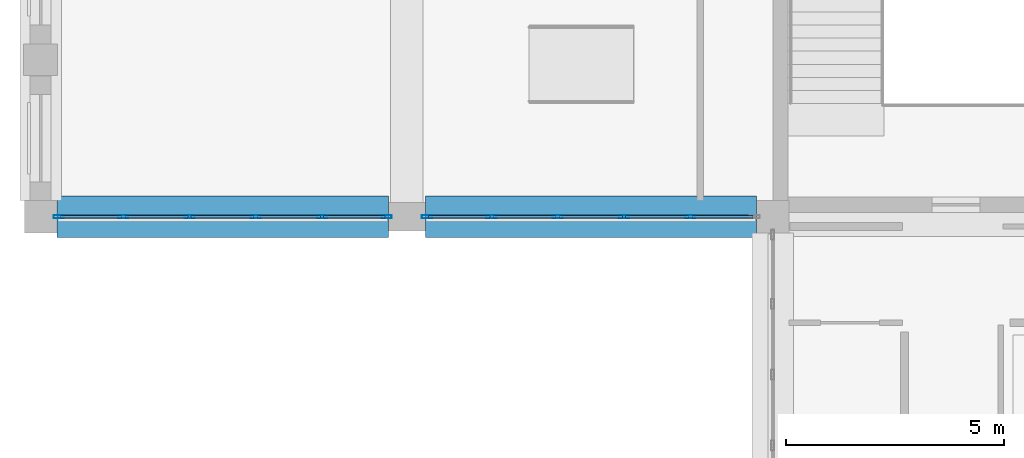
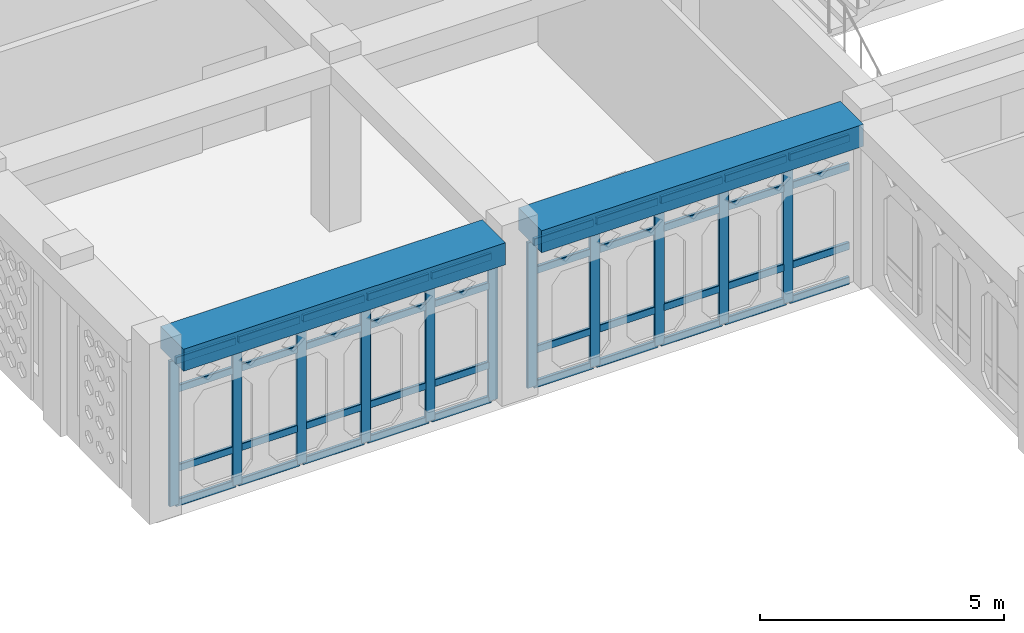
# One storey, part 3 of 111: 51 members, 2 beams, 2 elements without a shape of their own.
"""IFC4 building model written with IfcOpenShell, lengths in metres."""

from ifc_helpers import new_model, si_unit, derived_unit, direction, frame, origin, origin_2d, place, context, subcontext, project, spatial, rectangle, hollow_rectangle, extrude, material, material_profile, profile_set, type_object, element, aggregate, save


model = new_model("IFC4")

# Units and contexts
model_context = context("Model", 3, precision=1e-05, world=origin(), true_north=direction((0.0, 1.0)))
body_context = subcontext(model_context, "Body", "Model", "MODEL_VIEW")
ifc_project = project(units=[si_unit("LENGTHUNIT", "METRE"), si_unit("AREAUNIT", "SQUARE_METRE"), si_unit("VOLUMEUNIT", "CUBIC_METRE"), si_unit("PLANEANGLEUNIT", "RADIAN"), si_unit("MASSUNIT", "GRAM", prefix="KILO"), derived_unit("THERMALTRANSMITTANCEUNIT", [(si_unit("POWERUNIT", "WATT"), 1), (si_unit("LENGTHUNIT", "METRE"), -2), (si_unit("THERMODYNAMICTEMPERATUREUNIT", "KELVIN"), -1)])], contexts=[model_context])

# Site, building, storey
site_placement = place(None, origin())
site = spatial("IfcSite", under=ifc_project, at=site_placement, CompositionType="ELEMENT")
building_placement = place(site_placement, origin())
building = spatial("IfcBuilding", under=site, at=building_placement, Name="Veybourne Emporium", CompositionType="ELEMENT")
storey_placement = place(building_placement, frame((0.0, 0.0, 9.89990234375)))
storey = spatial("IfcBuildingStorey", under=building, at=storey_placement, Name="L02", CompositionType="ELEMENT", Elevation=9.89990234375)

# Curtain wall, members
ifc_material_1 = material(Name="Patinated Architectural Bronze", Category="bronze")
curtain_wall_type_1 = type_object("IfcCurtainWallType", Name="CWSystem_CWS-06", PredefinedType="NOTDEFINED", material=ifc_material_1)
curtain_wall_1_placement = place(storey_placement, origin())
curtain_wall_1 = element("IfcCurtainWall", 1, at=curtain_wall_1_placement, inside=storey, type_object=curtain_wall_type_1, Name="L02 bronze glazed curtain wall CWS-06 (001)", PredefinedType="NOTDEFINED")
ifc_material_profile_1 = material_profile(ifc_material_1, hollow_rectangle(XDim=0.074951171875, YDim=0.22998046875, WallThickness=0.0048828125, InnerFilletRadius=0.007568359375, OuterFilletRadius=0.012451171875, at=origin_2d()), Name="CWM 75x230x5")
ifc_profile_set_1 = profile_set([ifc_material_profile_1], Name="Patinated Architectural Bronze")
member_type_1 = type_object("IfcMemberType", Name="CWMullion_CW-M2", PredefinedType="MULLION", material=ifc_profile_set_1)
member_1_placement = place(storey_placement, frame((7.9375, 14.39990234375, 0.0), z_axis=(0.0, 0.0, 1.0), x_axis=(0.0, -1.0, 0.0)))
member_1 = element("IfcMember", 2, at=member_1_placement, type_object=member_type_1, Name="CWS-06 mullion 1", PredefinedType="MULLION", context=body_context, shape_type="SweptSolid", body=[
    extrude(hollow_rectangle(XDim=0.074951171875, YDim=0.22998046875, WallThickness=0.0048828125, InnerFilletRadius=0.007568359375, OuterFilletRadius=0.012451171875, at=origin_2d()), origin(), (0.0, 0.0, 1.0), 3.630126953125),
])
member_2_placement = place(storey_placement, frame((6.455078125, 14.39990234375, 0.0), z_axis=(0.0, 0.0, 1.0), x_axis=(0.0, -1.0, 0.0)))
member_2 = element("IfcMember", 3, at=member_2_placement, type_object=member_type_1, Name="CWS-06 mullion 2", PredefinedType="MULLION", context=body_context, shape_type="SweptSolid", body=[
    extrude(hollow_rectangle(XDim=0.074951171875, YDim=0.22998046875, WallThickness=0.0048828125, InnerFilletRadius=0.007568359375, OuterFilletRadius=0.012451171875, at=origin_2d()), origin(), (0.0, 0.0, 1.0), 3.630126953125),
])
member_3_placement = place(storey_placement, frame((4.93505859375, 14.39990234375, 0.0), z_axis=(0.0, 0.0, 1.0), x_axis=(0.0, -1.0, 0.0)))
member_3 = element("IfcMember", 4, at=member_3_placement, type_object=member_type_1, Name="CWS-06 mullion 3", PredefinedType="MULLION", context=body_context, shape_type="SweptSolid", body=[
    extrude(hollow_rectangle(XDim=0.074951171875, YDim=0.22998046875, WallThickness=0.0048828125, InnerFilletRadius=0.007568359375, OuterFilletRadius=0.012451171875, at=origin_2d()), origin(), (0.0, 0.0, 1.0), 3.630126953125),
])
member_4_placement = place(storey_placement, frame((3.4150390625, 14.39990234375, 0.0), z_axis=(0.0, 0.0, 1.0), x_axis=(0.0, -1.0, 0.0)))
member_4 = element("IfcMember", 5, at=member_4_placement, type_object=member_type_1, Name="CWS-06 mullion 4", PredefinedType="MULLION", context=body_context, shape_type="SweptSolid", body=[
    extrude(hollow_rectangle(XDim=0.074951171875, YDim=0.22998046875, WallThickness=0.0048828125, InnerFilletRadius=0.007568359375, OuterFilletRadius=0.012451171875, at=origin_2d()), origin(), (0.0, 0.0, 1.0), 3.630126953125),
])
member_5_placement = place(storey_placement, frame((1.89501953125, 14.39990234375, 0.0), z_axis=(0.0, 0.0, 1.0), x_axis=(0.0, -1.0, 0.0)))
member_5 = element("IfcMember", 6, at=member_5_placement, type_object=member_type_1, Name="CWS-06 mullion 5", PredefinedType="MULLION", context=body_context, shape_type="SweptSolid", body=[
    extrude(hollow_rectangle(XDim=0.074951171875, YDim=0.22998046875, WallThickness=0.0048828125, InnerFilletRadius=0.007568359375, OuterFilletRadius=0.012451171875, at=origin_2d()), origin(), (0.0, 0.0, 1.0), 3.630126953125),
])
member_6_placement = place(storey_placement, frame((0.41259765625, 14.39990234375, 0.0), z_axis=(0.0, 0.0, 1.0), x_axis=(0.0, -1.0, 0.0)))
member_6 = element("IfcMember", 7, at=member_6_placement, type_object=member_type_1, Name="CWS-06 mullion 6", PredefinedType="MULLION", context=body_context, shape_type="SweptSolid", body=[
    extrude(hollow_rectangle(XDim=0.074951171875, YDim=0.22998046875, WallThickness=0.0048828125, InnerFilletRadius=0.007568359375, OuterFilletRadius=0.012451171875, at=origin_2d()), origin(), (0.0, 0.0, 1.0), 3.630126953125),
])

curtain_wall_type_2 = type_object("IfcCurtainWallType", Name="CWSystem_CWS-07", PredefinedType="NOTDEFINED", material=ifc_material_1)
curtain_wall_2_placement = place(storey_placement, origin())
curtain_wall_2 = element("IfcCurtainWall", 8, at=curtain_wall_2_placement, inside=storey, type_object=curtain_wall_type_2, Name="L02 bronze glazed curtain wall CWS-07 (012)", PredefinedType="NOTDEFINED")
ifc_material_profile_2 = material_profile(ifc_material_1, hollow_rectangle(XDim=0.077880859375, YDim=0.235107421875, WallThickness=0.0048828125, InnerFilletRadius=0.007568359375, OuterFilletRadius=0.012451171875, at=origin_2d()), Name="CWM 78x235x5")
ifc_profile_set_2 = profile_set([ifc_material_profile_2], Name="Patinated Architectural Bronze")
member_type_2 = type_object("IfcMemberType", Name="CWMullion_CW-M3", PredefinedType="MULLION", material=ifc_profile_set_2)
member_7_placement = place(storey_placement, frame((14.905029296875, 14.39990234375, 0.0), z_axis=(0.0, 0.0, 1.0), x_axis=(0.0, -1.0, 0.0)))
member_7 = element("IfcMember", 9, at=member_7_placement, type_object=member_type_2, Name="CWS-07 mullion 2", PredefinedType="MULLION", context=body_context, shape_type="SweptSolid", body=[
    extrude(hollow_rectangle(XDim=0.077880859375, YDim=0.235107421875, WallThickness=0.0048828125, InnerFilletRadius=0.007568359375, OuterFilletRadius=0.012451171875, at=origin_2d()), origin(), (0.0, 0.0, 1.0), 3.630126953125),
])
member_8_placement = place(storey_placement, frame((13.385009765625, 14.39990234375, 0.0), z_axis=(0.0, 0.0, 1.0), x_axis=(0.0, -1.0, 0.0)))
member_8 = element("IfcMember", 10, at=member_8_placement, type_object=member_type_2, Name="CWS-07 mullion 3", PredefinedType="MULLION", context=body_context, shape_type="SweptSolid", body=[
    extrude(hollow_rectangle(XDim=0.077880859375, YDim=0.235107421875, WallThickness=0.0048828125, InnerFilletRadius=0.007568359375, OuterFilletRadius=0.012451171875, at=origin_2d()), origin(), (0.0, 0.0, 1.0), 3.630126953125),
])
member_9_placement = place(storey_placement, frame((11.864990234375, 14.39990234375, 0.0), z_axis=(0.0, 0.0, 1.0), x_axis=(0.0, -1.0, 0.0)))
member_9 = element("IfcMember", 11, at=member_9_placement, type_object=member_type_2, Name="CWS-07 mullion 4", PredefinedType="MULLION", context=body_context, shape_type="SweptSolid", body=[
    extrude(hollow_rectangle(XDim=0.077880859375, YDim=0.235107421875, WallThickness=0.0048828125, InnerFilletRadius=0.007568359375, OuterFilletRadius=0.012451171875, at=origin_2d()), origin(), (0.0, 0.0, 1.0), 3.630126953125),
])
member_10_placement = place(storey_placement, frame((10.344970703125, 14.39990234375, 0.0), z_axis=(0.0, 0.0, 1.0), x_axis=(0.0, -1.0, 0.0)))
member_10 = element("IfcMember", 12, at=member_10_placement, type_object=member_type_2, Name="CWS-07 mullion 5", PredefinedType="MULLION", context=body_context, shape_type="SweptSolid", body=[
    extrude(hollow_rectangle(XDim=0.077880859375, YDim=0.235107421875, WallThickness=0.0048828125, InnerFilletRadius=0.007568359375, OuterFilletRadius=0.012451171875, at=origin_2d()), origin(), (0.0, 0.0, 1.0), 3.630126953125),
])
member_11_placement = place(storey_placement, frame((8.864013671875, 14.39990234375, 0.0), z_axis=(0.0, 0.0, 1.0), x_axis=(0.0, -1.0, 0.0)))
member_11 = element("IfcMember", 13, at=member_11_placement, type_object=member_type_2, Name="CWS-07 mullion 6", PredefinedType="MULLION", context=body_context, shape_type="SweptSolid", body=[
    extrude(hollow_rectangle(XDim=0.077880859375, YDim=0.235107421875, WallThickness=0.0048828125, InnerFilletRadius=0.007568359375, OuterFilletRadius=0.012451171875, at=origin_2d()), origin(), (0.0, 0.0, 1.0), 3.630126953125),
])

# Member
ifc_material_profile_3 = material_profile(ifc_material_1, hollow_rectangle(XDim=0.074951171875, YDim=0.179931640625, WallThickness=0.0048828125, InnerFilletRadius=0.007568359375, OuterFilletRadius=0.012451171875, at=origin_2d()), Name="CWT 75x180x5")
ifc_profile_set_3 = profile_set([ifc_material_profile_3], Name="Patinated Architectural Bronze")
member_type_3 = type_object("IfcMemberType", Name="CWTransom_CW-T2", PredefinedType="NOTDEFINED", material=ifc_profile_set_3)
member_12_placement = place(storey_placement, frame((7.89990234375, 14.39990234375, 0.03759765625), z_axis=(-1.0, 0.0, 0.0), x_axis=(0.0, -1.0, 0.0)))
member_12 = element("IfcMember", 14, at=member_12_placement, type_object=member_type_3, Name="CWS-06 transom 1.1", ObjectType="TRANSOM", PredefinedType="USERDEFINED", context=body_context, shape_type="SweptSolid", body=[
    extrude(hollow_rectangle(XDim=0.074951171875, YDim=0.179931640625, WallThickness=0.0048828125, InnerFilletRadius=0.007568359375, OuterFilletRadius=0.012451171875, at=origin_2d()), origin(), (0.0, 0.0, 1.0), 1.407470703125),
])

member_13_placement = place(storey_placement, frame((7.89990234375, 14.39990234375, 0.900146484375), z_axis=(-1.0, 0.0, 0.0), x_axis=(0.0, -1.0, 0.0)))
member_13 = element("IfcMember", 15, at=member_13_placement, type_object=member_type_3, Name="CWS-06 transom 1.2", ObjectType="TRANSOM", PredefinedType="USERDEFINED", context=body_context, shape_type="SweptSolid", body=[
    extrude(hollow_rectangle(XDim=0.074951171875, YDim=0.179931640625, WallThickness=0.0048828125, InnerFilletRadius=0.007568359375, OuterFilletRadius=0.012451171875, at=origin_2d()), origin(), (0.0, 0.0, 1.0), 1.407470703125),
])

member_14_placement = place(storey_placement, frame((7.89990234375, 14.39990234375, 2.880126953125), z_axis=(-1.0, 0.0, 0.0), x_axis=(0.0, -1.0, 0.0)))
member_14 = element("IfcMember", 16, at=member_14_placement, type_object=member_type_3, Name="CWS-06 transom 1.3", ObjectType="TRANSOM", PredefinedType="USERDEFINED", context=body_context, shape_type="SweptSolid", body=[
    extrude(hollow_rectangle(XDim=0.074951171875, YDim=0.179931640625, WallThickness=0.0048828125, InnerFilletRadius=0.007568359375, OuterFilletRadius=0.012451171875, at=origin_2d()), origin(), (0.0, 0.0, 1.0), 1.407470703125),
])

member_15_placement = place(storey_placement, frame((7.89990234375, 14.39990234375, 3.592529296875), z_axis=(-1.0, 0.0, 0.0), x_axis=(0.0, -1.0, 0.0)))
member_15 = element("IfcMember", 17, at=member_15_placement, type_object=member_type_3, Name="CWS-06 transom 1.4", ObjectType="TRANSOM", PredefinedType="USERDEFINED", context=body_context, shape_type="SweptSolid", body=[
    extrude(hollow_rectangle(XDim=0.074951171875, YDim=0.179931640625, WallThickness=0.0048828125, InnerFilletRadius=0.007568359375, OuterFilletRadius=0.012451171875, at=origin_2d()), origin(), (0.0, 0.0, 1.0), 1.407470703125),
])

member_16_placement = place(storey_placement, frame((6.41748046875, 14.39990234375, 0.03759765625), z_axis=(-1.0, 0.0, 0.0), x_axis=(0.0, -1.0, 0.0)))
member_16 = element("IfcMember", 18, at=member_16_placement, type_object=member_type_3, Name="CWS-06 transom 2.1", ObjectType="TRANSOM", PredefinedType="USERDEFINED", context=body_context, shape_type="SweptSolid", body=[
    extrude(hollow_rectangle(XDim=0.074951171875, YDim=0.179931640625, WallThickness=0.0048828125, InnerFilletRadius=0.007568359375, OuterFilletRadius=0.012451171875, at=origin_2d()), origin(), (0.0, 0.0, 1.0), 1.445068359375),
])

member_17_placement = place(storey_placement, frame((6.41748046875, 14.39990234375, 0.900146484375), z_axis=(-1.0, 0.0, 0.0), x_axis=(0.0, -1.0, 0.0)))
member_17 = element("IfcMember", 19, at=member_17_placement, type_object=member_type_3, Name="CWS-06 transom 2.2", ObjectType="TRANSOM", PredefinedType="USERDEFINED", context=body_context, shape_type="SweptSolid", body=[
    extrude(hollow_rectangle(XDim=0.074951171875, YDim=0.179931640625, WallThickness=0.0048828125, InnerFilletRadius=0.007568359375, OuterFilletRadius=0.012451171875, at=origin_2d()), origin(), (0.0, 0.0, 1.0), 1.445068359375),
])

member_18_placement = place(storey_placement, frame((6.41748046875, 14.39990234375, 2.880126953125), z_axis=(-1.0, 0.0, 0.0), x_axis=(0.0, -1.0, 0.0)))
member_18 = element("IfcMember", 20, at=member_18_placement, type_object=member_type_3, Name="CWS-06 transom 2.3", ObjectType="TRANSOM", PredefinedType="USERDEFINED", context=body_context, shape_type="SweptSolid", body=[
    extrude(hollow_rectangle(XDim=0.074951171875, YDim=0.179931640625, WallThickness=0.0048828125, InnerFilletRadius=0.007568359375, OuterFilletRadius=0.012451171875, at=origin_2d()), origin(), (0.0, 0.0, 1.0), 1.445068359375),
])

member_19_placement = place(storey_placement, frame((6.41748046875, 14.39990234375, 3.592529296875), z_axis=(-1.0, 0.0, 0.0), x_axis=(0.0, -1.0, 0.0)))
member_19 = element("IfcMember", 21, at=member_19_placement, type_object=member_type_3, Name="CWS-06 transom 2.4", ObjectType="TRANSOM", PredefinedType="USERDEFINED", context=body_context, shape_type="SweptSolid", body=[
    extrude(hollow_rectangle(XDim=0.074951171875, YDim=0.179931640625, WallThickness=0.0048828125, InnerFilletRadius=0.007568359375, OuterFilletRadius=0.012451171875, at=origin_2d()), origin(), (0.0, 0.0, 1.0), 1.445068359375),
])

member_20_placement = place(storey_placement, frame((4.8974609375, 14.39990234375, 0.03759765625), z_axis=(-1.0, 0.0, 0.0), x_axis=(0.0, -1.0, 0.0)))
member_20 = element("IfcMember", 22, at=member_20_placement, type_object=member_type_3, Name="CWS-06 transom 3.1", ObjectType="TRANSOM", PredefinedType="USERDEFINED", context=body_context, shape_type="SweptSolid", body=[
    extrude(hollow_rectangle(XDim=0.074951171875, YDim=0.179931640625, WallThickness=0.0048828125, InnerFilletRadius=0.007568359375, OuterFilletRadius=0.012451171875, at=origin_2d()), origin(), (0.0, 0.0, 1.0), 1.445068359375),
])

member_21_placement = place(storey_placement, frame((4.8974609375, 14.39990234375, 0.900146484375), z_axis=(-1.0, 0.0, 0.0), x_axis=(0.0, -1.0, 0.0)))
member_21 = element("IfcMember", 23, at=member_21_placement, type_object=member_type_3, Name="CWS-06 transom 3.2", ObjectType="TRANSOM", PredefinedType="USERDEFINED", context=body_context, shape_type="SweptSolid", body=[
    extrude(hollow_rectangle(XDim=0.074951171875, YDim=0.179931640625, WallThickness=0.0048828125, InnerFilletRadius=0.007568359375, OuterFilletRadius=0.012451171875, at=origin_2d()), origin(), (0.0, 0.0, 1.0), 1.445068359375),
])

member_22_placement = place(storey_placement, frame((4.8974609375, 14.39990234375, 2.880126953125), z_axis=(-1.0, 0.0, 0.0), x_axis=(0.0, -1.0, 0.0)))
member_22 = element("IfcMember", 24, at=member_22_placement, type_object=member_type_3, Name="CWS-06 transom 3.3", ObjectType="TRANSOM", PredefinedType="USERDEFINED", context=body_context, shape_type="SweptSolid", body=[
    extrude(hollow_rectangle(XDim=0.074951171875, YDim=0.179931640625, WallThickness=0.0048828125, InnerFilletRadius=0.007568359375, OuterFilletRadius=0.012451171875, at=origin_2d()), origin(), (0.0, 0.0, 1.0), 1.445068359375),
])

member_23_placement = place(storey_placement, frame((4.8974609375, 14.39990234375, 3.592529296875), z_axis=(-1.0, 0.0, 0.0), x_axis=(0.0, -1.0, 0.0)))
member_23 = element("IfcMember", 25, at=member_23_placement, type_object=member_type_3, Name="CWS-06 transom 3.4", ObjectType="TRANSOM", PredefinedType="USERDEFINED", context=body_context, shape_type="SweptSolid", body=[
    extrude(hollow_rectangle(XDim=0.074951171875, YDim=0.179931640625, WallThickness=0.0048828125, InnerFilletRadius=0.007568359375, OuterFilletRadius=0.012451171875, at=origin_2d()), origin(), (0.0, 0.0, 1.0), 1.445068359375),
])

member_24_placement = place(storey_placement, frame((3.37744140625, 14.39990234375, 0.03759765625), z_axis=(-1.0, 0.0, 0.0), x_axis=(0.0, -1.0, 0.0)))
member_24 = element("IfcMember", 26, at=member_24_placement, type_object=member_type_3, Name="CWS-06 transom 4.1", ObjectType="TRANSOM", PredefinedType="USERDEFINED", context=body_context, shape_type="SweptSolid", body=[
    extrude(hollow_rectangle(XDim=0.074951171875, YDim=0.179931640625, WallThickness=0.0048828125, InnerFilletRadius=0.007568359375, OuterFilletRadius=0.012451171875, at=origin_2d()), origin(), (0.0, 0.0, 1.0), 1.44482421875),
])

member_25_placement = place(storey_placement, frame((3.37744140625, 14.39990234375, 0.900146484375), z_axis=(-1.0, 0.0, 0.0), x_axis=(0.0, -1.0, 0.0)))
member_25 = element("IfcMember", 27, at=member_25_placement, type_object=member_type_3, Name="CWS-06 transom 4.2", ObjectType="TRANSOM", PredefinedType="USERDEFINED", context=body_context, shape_type="SweptSolid", body=[
    extrude(hollow_rectangle(XDim=0.074951171875, YDim=0.179931640625, WallThickness=0.0048828125, InnerFilletRadius=0.007568359375, OuterFilletRadius=0.012451171875, at=origin_2d()), origin(), (0.0, 0.0, 1.0), 1.44482421875),
])

member_26_placement = place(storey_placement, frame((3.37744140625, 14.39990234375, 2.880126953125), z_axis=(-1.0, 0.0, 0.0), x_axis=(0.0, -1.0, 0.0)))
member_26 = element("IfcMember", 28, at=member_26_placement, type_object=member_type_3, Name="CWS-06 transom 4.3", ObjectType="TRANSOM", PredefinedType="USERDEFINED", context=body_context, shape_type="SweptSolid", body=[
    extrude(hollow_rectangle(XDim=0.074951171875, YDim=0.179931640625, WallThickness=0.0048828125, InnerFilletRadius=0.007568359375, OuterFilletRadius=0.012451171875, at=origin_2d()), origin(), (0.0, 0.0, 1.0), 1.44482421875),
])

member_27_placement = place(storey_placement, frame((3.37744140625, 14.39990234375, 3.592529296875), z_axis=(-1.0, 0.0, 0.0), x_axis=(0.0, -1.0, 0.0)))
member_27 = element("IfcMember", 29, at=member_27_placement, type_object=member_type_3, Name="CWS-06 transom 4.4", ObjectType="TRANSOM", PredefinedType="USERDEFINED", context=body_context, shape_type="SweptSolid", body=[
    extrude(hollow_rectangle(XDim=0.074951171875, YDim=0.179931640625, WallThickness=0.0048828125, InnerFilletRadius=0.007568359375, OuterFilletRadius=0.012451171875, at=origin_2d()), origin(), (0.0, 0.0, 1.0), 1.44482421875),
])

member_28_placement = place(storey_placement, frame((1.857421875, 14.39990234375, 0.03759765625), z_axis=(-1.0, 0.0, 0.0), x_axis=(0.0, -1.0, 0.0)))
member_28 = element("IfcMember", 30, at=member_28_placement, type_object=member_type_3, Name="CWS-06 transom 5.1", ObjectType="TRANSOM", PredefinedType="USERDEFINED", context=body_context, shape_type="SweptSolid", body=[
    extrude(hollow_rectangle(XDim=0.074951171875, YDim=0.179931640625, WallThickness=0.0048828125, InnerFilletRadius=0.007568359375, OuterFilletRadius=0.012451171875, at=origin_2d()), origin(), (0.0, 0.0, 1.0), 1.407470703125),
])

member_29_placement = place(storey_placement, frame((1.857421875, 14.39990234375, 0.900146484375), z_axis=(-1.0, 0.0, 0.0), x_axis=(0.0, -1.0, 0.0)))
member_29 = element("IfcMember", 31, at=member_29_placement, type_object=member_type_3, Name="CWS-06 transom 5.2", ObjectType="TRANSOM", PredefinedType="USERDEFINED", context=body_context, shape_type="SweptSolid", body=[
    extrude(hollow_rectangle(XDim=0.074951171875, YDim=0.179931640625, WallThickness=0.0048828125, InnerFilletRadius=0.007568359375, OuterFilletRadius=0.012451171875, at=origin_2d()), origin(), (0.0, 0.0, 1.0), 1.407470703125),
])

member_30_placement = place(storey_placement, frame((1.857421875, 14.39990234375, 2.880126953125), z_axis=(-1.0, 0.0, 0.0), x_axis=(0.0, -1.0, 0.0)))
member_30 = element("IfcMember", 32, at=member_30_placement, type_object=member_type_3, Name="CWS-06 transom 5.3", ObjectType="TRANSOM", PredefinedType="USERDEFINED", context=body_context, shape_type="SweptSolid", body=[
    extrude(hollow_rectangle(XDim=0.074951171875, YDim=0.179931640625, WallThickness=0.0048828125, InnerFilletRadius=0.007568359375, OuterFilletRadius=0.012451171875, at=origin_2d()), origin(), (0.0, 0.0, 1.0), 1.407470703125),
])

member_31_placement = place(storey_placement, frame((1.857421875, 14.39990234375, 3.592529296875), z_axis=(-1.0, 0.0, 0.0), x_axis=(0.0, -1.0, 0.0)))
member_31 = element("IfcMember", 33, at=member_31_placement, type_object=member_type_3, Name="CWS-06 transom 5.4", ObjectType="TRANSOM", PredefinedType="USERDEFINED", context=body_context, shape_type="SweptSolid", body=[
    extrude(hollow_rectangle(XDim=0.074951171875, YDim=0.179931640625, WallThickness=0.0048828125, InnerFilletRadius=0.007568359375, OuterFilletRadius=0.012451171875, at=origin_2d()), origin(), (0.0, 0.0, 1.0), 1.407470703125),
])

aggregate(curtain_wall_1, [member_1, member_2, member_3, member_4, member_5, member_6, member_12, member_13, member_14, member_15, member_16, member_17, member_18, member_19, member_20, member_21, member_22, member_23, member_24, member_25, member_26, member_27, member_28, member_29, member_30, member_31])

ifc_material_profile_4 = material_profile(ifc_material_1, hollow_rectangle(XDim=0.077880859375, YDim=0.18505859375, WallThickness=0.0048828125, InnerFilletRadius=0.007568359375, OuterFilletRadius=0.012451171875, at=origin_2d()), Name="CWT 78x185x5")
ifc_profile_set_4 = profile_set([ifc_material_profile_4], Name="Patinated Architectural Bronze")
member_type_4 = type_object("IfcMemberType", Name="CWTransom_CW-T3", PredefinedType="NOTDEFINED", material=ifc_profile_set_4)
member_32_placement = place(storey_placement, frame((16.346923828125, 14.39990234375, 0.0390625), z_axis=(-1.0, 0.0, 0.0), x_axis=(0.0, -1.0, 0.0)))
member_32 = element("IfcMember", 34, at=member_32_placement, type_object=member_type_4, Name="CWS-07 transom 1.1", ObjectType="TRANSOM", PredefinedType="USERDEFINED", context=body_context, shape_type="SweptSolid", body=[
    extrude(hollow_rectangle(XDim=0.077880859375, YDim=0.18505859375, WallThickness=0.0048828125, InnerFilletRadius=0.007568359375, OuterFilletRadius=0.012451171875, at=origin_2d()), origin(), (0.0, 0.0, 1.0), 1.40283203125),
])

member_33_placement = place(storey_placement, frame((16.346923828125, 14.39990234375, 0.900146484375), z_axis=(-1.0, 0.0, 0.0), x_axis=(0.0, -1.0, 0.0)))
member_33 = element("IfcMember", 35, at=member_33_placement, type_object=member_type_4, Name="CWS-07 transom 1.2", ObjectType="TRANSOM", PredefinedType="USERDEFINED", context=body_context, shape_type="SweptSolid", body=[
    extrude(hollow_rectangle(XDim=0.077880859375, YDim=0.18505859375, WallThickness=0.0048828125, InnerFilletRadius=0.007568359375, OuterFilletRadius=0.012451171875, at=origin_2d()), origin(), (0.0, 0.0, 1.0), 1.40283203125),
])

member_34_placement = place(storey_placement, frame((16.346923828125, 14.39990234375, 2.880126953125), z_axis=(-1.0, 0.0, 0.0), x_axis=(0.0, -1.0, 0.0)))
member_34 = element("IfcMember", 36, at=member_34_placement, type_object=member_type_4, Name="CWS-07 transom 1.3", ObjectType="TRANSOM", PredefinedType="USERDEFINED", context=body_context, shape_type="SweptSolid", body=[
    extrude(hollow_rectangle(XDim=0.077880859375, YDim=0.18505859375, WallThickness=0.0048828125, InnerFilletRadius=0.007568359375, OuterFilletRadius=0.012451171875, at=origin_2d()), origin(), (0.0, 0.0, 1.0), 1.40283203125),
])

member_35_placement = place(storey_placement, frame((16.346923828125, 14.39990234375, 3.591064453125), z_axis=(-1.0, 0.0, 0.0), x_axis=(0.0, -1.0, 0.0)))
member_35 = element("IfcMember", 37, at=member_35_placement, type_object=member_type_4, Name="CWS-07 transom 1.4", ObjectType="TRANSOM", PredefinedType="USERDEFINED", context=body_context, shape_type="SweptSolid", body=[
    extrude(hollow_rectangle(XDim=0.077880859375, YDim=0.18505859375, WallThickness=0.0048828125, InnerFilletRadius=0.007568359375, OuterFilletRadius=0.012451171875, at=origin_2d()), origin(), (0.0, 0.0, 1.0), 1.40283203125),
])

member_36_placement = place(storey_placement, frame((14.865966796875, 14.39990234375, 0.0390625), z_axis=(-1.0, 0.0, 0.0), x_axis=(0.0, -1.0, 0.0)))
member_36 = element("IfcMember", 38, at=member_36_placement, type_object=member_type_4, Name="CWS-07 transom 2.1", ObjectType="TRANSOM", PredefinedType="USERDEFINED", context=body_context, shape_type="SweptSolid", body=[
    extrude(hollow_rectangle(XDim=0.077880859375, YDim=0.18505859375, WallThickness=0.0048828125, InnerFilletRadius=0.007568359375, OuterFilletRadius=0.012451171875, at=origin_2d()), origin(), (0.0, 0.0, 1.0), 1.44189453125),
])

member_37_placement = place(storey_placement, frame((14.865966796875, 14.39990234375, 0.900146484375), z_axis=(-1.0, 0.0, 0.0), x_axis=(0.0, -1.0, 0.0)))
member_37 = element("IfcMember", 39, at=member_37_placement, type_object=member_type_4, Name="CWS-07 transom 2.2", ObjectType="TRANSOM", PredefinedType="USERDEFINED", context=body_context, shape_type="SweptSolid", body=[
    extrude(hollow_rectangle(XDim=0.077880859375, YDim=0.18505859375, WallThickness=0.0048828125, InnerFilletRadius=0.007568359375, OuterFilletRadius=0.012451171875, at=origin_2d()), origin(), (0.0, 0.0, 1.0), 1.44189453125),
])

member_38_placement = place(storey_placement, frame((14.865966796875, 14.39990234375, 2.880126953125), z_axis=(-1.0, 0.0, 0.0), x_axis=(0.0, -1.0, 0.0)))
member_38 = element("IfcMember", 40, at=member_38_placement, type_object=member_type_4, Name="CWS-07 transom 2.3", ObjectType="TRANSOM", PredefinedType="USERDEFINED", context=body_context, shape_type="SweptSolid", body=[
    extrude(hollow_rectangle(XDim=0.077880859375, YDim=0.18505859375, WallThickness=0.0048828125, InnerFilletRadius=0.007568359375, OuterFilletRadius=0.012451171875, at=origin_2d()), origin(), (0.0, 0.0, 1.0), 1.44189453125),
])

member_39_placement = place(storey_placement, frame((14.865966796875, 14.39990234375, 3.591064453125), z_axis=(-1.0, 0.0, 0.0), x_axis=(0.0, -1.0, 0.0)))
member_39 = element("IfcMember", 41, at=member_39_placement, type_object=member_type_4, Name="CWS-07 transom 2.4", ObjectType="TRANSOM", PredefinedType="USERDEFINED", context=body_context, shape_type="SweptSolid", body=[
    extrude(hollow_rectangle(XDim=0.077880859375, YDim=0.18505859375, WallThickness=0.0048828125, InnerFilletRadius=0.007568359375, OuterFilletRadius=0.012451171875, at=origin_2d()), origin(), (0.0, 0.0, 1.0), 1.44189453125),
])

member_40_placement = place(storey_placement, frame((13.345947265625, 14.39990234375, 0.0390625), z_axis=(-1.0, 0.0, 0.0), x_axis=(0.0, -1.0, 0.0)))
member_40 = element("IfcMember", 42, at=member_40_placement, type_object=member_type_4, Name="CWS-07 transom 3.1", ObjectType="TRANSOM", PredefinedType="USERDEFINED", context=body_context, shape_type="SweptSolid", body=[
    extrude(hollow_rectangle(XDim=0.077880859375, YDim=0.18505859375, WallThickness=0.0048828125, InnerFilletRadius=0.007568359375, OuterFilletRadius=0.012451171875, at=origin_2d()), origin(), (0.0, 0.0, 1.0), 1.44189453125),
])

member_41_placement = place(storey_placement, frame((13.345947265625, 14.39990234375, 0.900146484375), z_axis=(-1.0, 0.0, 0.0), x_axis=(0.0, -1.0, 0.0)))
member_41 = element("IfcMember", 43, at=member_41_placement, type_object=member_type_4, Name="CWS-07 transom 3.2", ObjectType="TRANSOM", PredefinedType="USERDEFINED", context=body_context, shape_type="SweptSolid", body=[
    extrude(hollow_rectangle(XDim=0.077880859375, YDim=0.18505859375, WallThickness=0.0048828125, InnerFilletRadius=0.007568359375, OuterFilletRadius=0.012451171875, at=origin_2d()), origin(), (0.0, 0.0, 1.0), 1.44189453125),
])

member_42_placement = place(storey_placement, frame((13.345947265625, 14.39990234375, 2.880126953125), z_axis=(-1.0, 0.0, 0.0), x_axis=(0.0, -1.0, 0.0)))
member_42 = element("IfcMember", 44, at=member_42_placement, type_object=member_type_4, Name="CWS-07 transom 3.3", ObjectType="TRANSOM", PredefinedType="USERDEFINED", context=body_context, shape_type="SweptSolid", body=[
    extrude(hollow_rectangle(XDim=0.077880859375, YDim=0.18505859375, WallThickness=0.0048828125, InnerFilletRadius=0.007568359375, OuterFilletRadius=0.012451171875, at=origin_2d()), origin(), (0.0, 0.0, 1.0), 1.44189453125),
])

member_43_placement = place(storey_placement, frame((13.345947265625, 14.39990234375, 3.591064453125), z_axis=(-1.0, 0.0, 0.0), x_axis=(0.0, -1.0, 0.0)))
member_43 = element("IfcMember", 45, at=member_43_placement, type_object=member_type_4, Name="CWS-07 transom 3.4", ObjectType="TRANSOM", PredefinedType="USERDEFINED", context=body_context, shape_type="SweptSolid", body=[
    extrude(hollow_rectangle(XDim=0.077880859375, YDim=0.18505859375, WallThickness=0.0048828125, InnerFilletRadius=0.007568359375, OuterFilletRadius=0.012451171875, at=origin_2d()), origin(), (0.0, 0.0, 1.0), 1.44189453125),
])

member_44_placement = place(storey_placement, frame((11.825927734375, 14.39990234375, 0.0390625), z_axis=(-1.0, 0.0, 0.0), x_axis=(0.0, -1.0, 0.0)))
member_44 = element("IfcMember", 46, at=member_44_placement, type_object=member_type_4, Name="CWS-07 transom 4.1", ObjectType="TRANSOM", PredefinedType="USERDEFINED", context=body_context, shape_type="SweptSolid", body=[
    extrude(hollow_rectangle(XDim=0.077880859375, YDim=0.18505859375, WallThickness=0.0048828125, InnerFilletRadius=0.007568359375, OuterFilletRadius=0.012451171875, at=origin_2d()), origin(), (0.0, 0.0, 1.0), 1.44189453125),
])

member_45_placement = place(storey_placement, frame((11.825927734375, 14.39990234375, 0.900146484375), z_axis=(-1.0, 0.0, 0.0), x_axis=(0.0, -1.0, 0.0)))
member_45 = element("IfcMember", 47, at=member_45_placement, type_object=member_type_4, Name="CWS-07 transom 4.2", ObjectType="TRANSOM", PredefinedType="USERDEFINED", context=body_context, shape_type="SweptSolid", body=[
    extrude(hollow_rectangle(XDim=0.077880859375, YDim=0.18505859375, WallThickness=0.0048828125, InnerFilletRadius=0.007568359375, OuterFilletRadius=0.012451171875, at=origin_2d()), origin(), (0.0, 0.0, 1.0), 1.44189453125),
])

member_46_placement = place(storey_placement, frame((11.825927734375, 14.39990234375, 2.880126953125), z_axis=(-1.0, 0.0, 0.0), x_axis=(0.0, -1.0, 0.0)))
member_46 = element("IfcMember", 48, at=member_46_placement, type_object=member_type_4, Name="CWS-07 transom 4.3", ObjectType="TRANSOM", PredefinedType="USERDEFINED", context=body_context, shape_type="SweptSolid", body=[
    extrude(hollow_rectangle(XDim=0.077880859375, YDim=0.18505859375, WallThickness=0.0048828125, InnerFilletRadius=0.007568359375, OuterFilletRadius=0.012451171875, at=origin_2d()), origin(), (0.0, 0.0, 1.0), 1.44189453125),
])

member_47_placement = place(storey_placement, frame((11.825927734375, 14.39990234375, 3.591064453125), z_axis=(-1.0, 0.0, 0.0), x_axis=(0.0, -1.0, 0.0)))
member_47 = element("IfcMember", 49, at=member_47_placement, type_object=member_type_4, Name="CWS-07 transom 4.4", ObjectType="TRANSOM", PredefinedType="USERDEFINED", context=body_context, shape_type="SweptSolid", body=[
    extrude(hollow_rectangle(XDim=0.077880859375, YDim=0.18505859375, WallThickness=0.0048828125, InnerFilletRadius=0.007568359375, OuterFilletRadius=0.012451171875, at=origin_2d()), origin(), (0.0, 0.0, 1.0), 1.44189453125),
])

member_48_placement = place(storey_placement, frame((10.305908203125, 14.39990234375, 0.0390625), z_axis=(-1.0, 0.0, 0.0), x_axis=(0.0, -1.0, 0.0)))
member_48 = element("IfcMember", 50, at=member_48_placement, type_object=member_type_4, Name="CWS-07 transom 5.1", ObjectType="TRANSOM", PredefinedType="USERDEFINED", context=body_context, shape_type="SweptSolid", body=[
    extrude(hollow_rectangle(XDim=0.077880859375, YDim=0.18505859375, WallThickness=0.0048828125, InnerFilletRadius=0.007568359375, OuterFilletRadius=0.012451171875, at=origin_2d()), origin(), (0.0, 0.0, 1.0), 1.40283203125),
])

member_49_placement = place(storey_placement, frame((10.305908203125, 14.39990234375, 0.900146484375), z_axis=(-1.0, 0.0, 0.0), x_axis=(0.0, -1.0, 0.0)))
member_49 = element("IfcMember", 51, at=member_49_placement, type_object=member_type_4, Name="CWS-07 transom 5.2", ObjectType="TRANSOM", PredefinedType="USERDEFINED", context=body_context, shape_type="SweptSolid", body=[
    extrude(hollow_rectangle(XDim=0.077880859375, YDim=0.18505859375, WallThickness=0.0048828125, InnerFilletRadius=0.007568359375, OuterFilletRadius=0.012451171875, at=origin_2d()), origin(), (0.0, 0.0, 1.0), 1.40283203125),
])

member_50_placement = place(storey_placement, frame((10.305908203125, 14.39990234375, 2.880126953125), z_axis=(-1.0, 0.0, 0.0), x_axis=(0.0, -1.0, 0.0)))
member_50 = element("IfcMember", 52, at=member_50_placement, type_object=member_type_4, Name="CWS-07 transom 5.3", ObjectType="TRANSOM", PredefinedType="USERDEFINED", context=body_context, shape_type="SweptSolid", body=[
    extrude(hollow_rectangle(XDim=0.077880859375, YDim=0.18505859375, WallThickness=0.0048828125, InnerFilletRadius=0.007568359375, OuterFilletRadius=0.012451171875, at=origin_2d()), origin(), (0.0, 0.0, 1.0), 1.40283203125),
])

member_51_placement = place(storey_placement, frame((10.305908203125, 14.39990234375, 3.591064453125), z_axis=(-1.0, 0.0, 0.0), x_axis=(0.0, -1.0, 0.0)))
member_51 = element("IfcMember", 53, at=member_51_placement, type_object=member_type_4, Name="CWS-07 transom 5.4", ObjectType="TRANSOM", PredefinedType="USERDEFINED", context=body_context, shape_type="SweptSolid", body=[
    extrude(hollow_rectangle(XDim=0.077880859375, YDim=0.18505859375, WallThickness=0.0048828125, InnerFilletRadius=0.007568359375, OuterFilletRadius=0.012451171875, at=origin_2d()), origin(), (0.0, 0.0, 1.0), 1.40283203125),
])

aggregate(curtain_wall_2, [member_7, member_8, member_9, member_10, member_11, member_32, member_33, member_34, member_35, member_36, member_37, member_38, member_39, member_40, member_41, member_42, member_43, member_44, member_45, member_46, member_47, member_48, member_49, member_50, member_51])

# Beams
ifc_material_2 = material(Name="Concrete C32/40", Category="concrete")
ifc_material_profile_5 = material_profile(ifc_material_2, rectangle(XDim=0.949951171875, YDim=0.550048828125, at=origin_2d()), Name="RC 950x550")
ifc_profile_set_5 = profile_set([ifc_material_profile_5], Name="Concrete C32/40")
beam_type = type_object("IfcBeamType", Name="RCBeam_EB-01", PredefinedType="SPANDREL", material=ifc_profile_set_5)
for number, where, z_axis, x_axis, name in (
    (54, (0.375, 14.39990234375, 3.905029296875), (1.0, 0.0, 0.0), (0.0, 1.0, 0.0), "L02 X-grid beam EB-01 (0,2)"),
    (55, (8.824951171875, 14.39990234375, 3.905029296875), (1.0, 0.0, 0.0), (0.0, 1.0, 0.0), "L02 X-grid beam EB-01 (1,2)"),
):
    element("IfcBeam", number, at=place(storey_placement, frame(where, z_axis=z_axis, x_axis=x_axis)), inside=storey, type_object=beam_type, Name=name, PredefinedType="SPANDREL", context=body_context, shape_type="SweptSolid", body=[
        extrude(rectangle(XDim=0.949951171875, YDim=0.550048828125, at=origin_2d()), origin(), (0.0, 0.0, 1.0), 7.60009765625),
    ])

save(model, "model.ifc")
